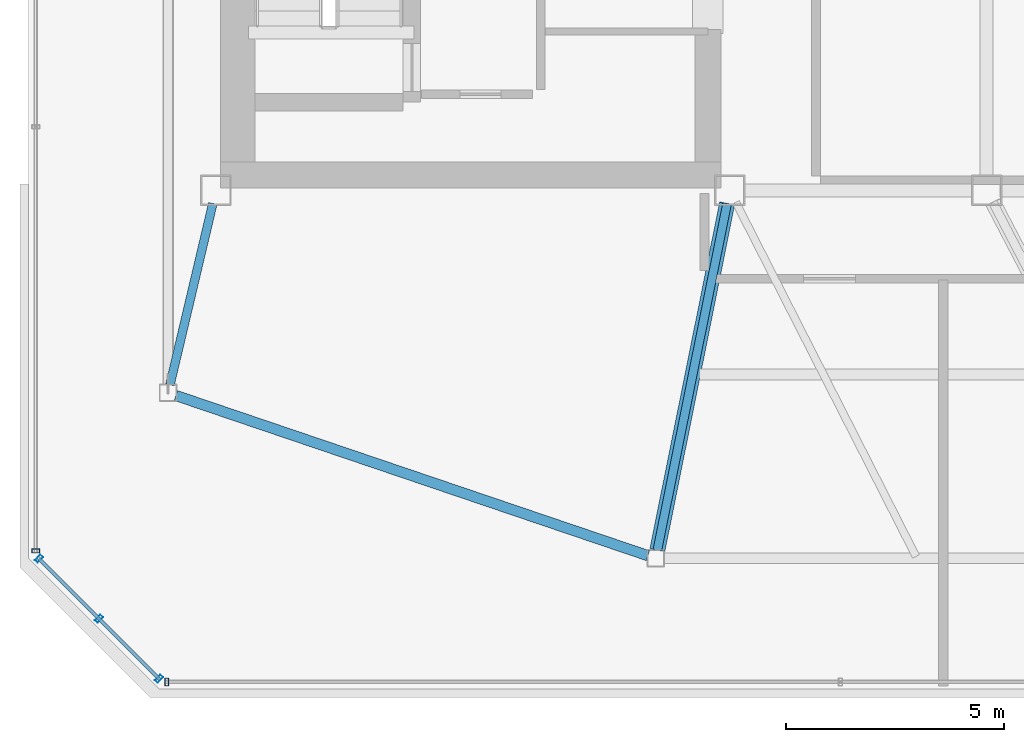
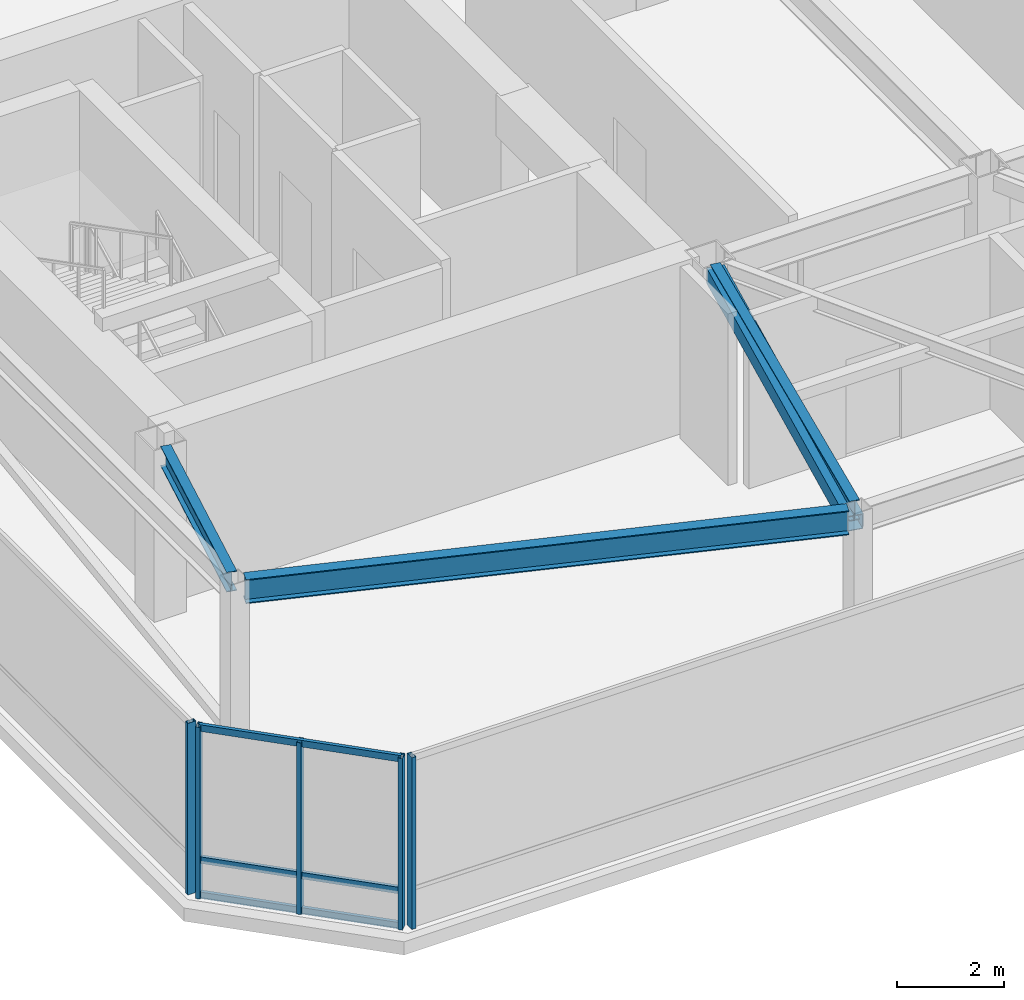
# One storey, part 2 of 21: 9 members, 3 beams, 3 elements without a shape of their own.
"""IFC4 building model written with IfcOpenShell, lengths in metres."""

from ifc_helpers import new_model, si_unit, direction, frame, origin, origin_2d, place, context, subcontext, project, spatial, hollow_rectangle, i_section, extrude, material, layer, layer_set, material_profile, profile_set, type_object, element, aggregate, save


model = new_model("IFC4")

# Units and contexts
model_context = context("Model", 3, precision=1e-05, world=origin(), true_north=direction((0.0, 1.0)))
body_context = subcontext(model_context, "Body", "Model", "MODEL_VIEW")
ifc_project = project(units=[si_unit("LENGTHUNIT", "METRE"), si_unit("AREAUNIT", "SQUARE_METRE"), si_unit("VOLUMEUNIT", "CUBIC_METRE"), si_unit("PLANEANGLEUNIT", "RADIAN"), si_unit("MASSUNIT", "GRAM", prefix="KILO")], contexts=[model_context])

# Site, building, storey
site_placement = place(None, origin())
site = spatial("IfcSite", under=ifc_project, at=site_placement, CompositionType="ELEMENT")
building_placement = place(site_placement, origin())
building = spatial("IfcBuilding", under=site, at=building_placement, Name="Tavrogorsk Clinical Tower", CompositionType="ELEMENT")
storey_placement = place(building_placement, frame((0.0, 0.0, 348.60009765625)))
storey = spatial("IfcBuildingStorey", under=building, at=storey_placement, Name="L81", CompositionType="ELEMENT", Elevation=348.60009765625)

# Member
ifc_material_1 = material(Name="Structural steel S390", Category="steel")
ifc_material_profile_1 = material_profile(ifc_material_1, hollow_rectangle(XDim=0.35009765625, YDim=0.35009765625, WallThickness=0.01611328125, at=origin_2d()), Name="SHS-350x350x16")
ifc_profile_set_1 = profile_set([ifc_material_profile_1], Name="Structural steel S390")
member_type_1 = type_object("IfcMemberType", Name="CrownFacetRafter_SHS350", PredefinedType="RAFTER", material=ifc_profile_set_1)
member_1_placement = place(storey_placement, frame((-10.361083984375, -6.65380859375, 3.669189453125), z_axis=(-0.197131403057, -0.979759922029, -0.034780815313), x_axis=(0.980353070529, -0.197250746779, 0.0)))
element("IfcMember", 1, at=member_1_placement, inside=storey, type_object=member_type_1, Name="L81 Sloped Facet Rafter S-1", PredefinedType="RAFTER", context=body_context, shape_type="SweptSolid", body=[
    extrude(hollow_rectangle(XDim=0.35009765625, YDim=0.35009765625, WallThickness=0.01611328125, at=origin_2d()), origin(), (0.0, 0.0, 1.0), 8.114501953125),
])

# Curtain wall, members
ifc_material_2 = material(Name="Anodised aluminium and triple IGU glazing", Category="aluminium")
ifc_layer = layer(ifc_material_2, 0.179931640625)
ifc_layer_set = layer_set([ifc_layer], Name="Anodised aluminium and triple IGU glazing")
curtain_wall_type = type_object("IfcCurtainWallType", Name="CW5_SkyLobby", PredefinedType="NOTDEFINED", material=ifc_layer_set)
curtain_wall_1_placement = place(storey_placement, origin())
curtain_wall_1 = element("IfcCurtainWall", 2, at=curtain_wall_1_placement, inside=storey, type_object=curtain_wall_type, Name="L81 Curtain Wall CW-L81-DRUM-1", PredefinedType="NOTDEFINED")
ifc_material_3 = material(Name="Anodised aluminium alloy AW-6060", Category="aluminium")
ifc_material_profile_2 = material_profile(ifc_material_3, hollow_rectangle(XDim=0.090087890625, YDim=0.179931640625, WallThickness=0.00634765625, at=origin_2d()), Name="RHS-180x90x6.3")
ifc_profile_set_2 = profile_set([ifc_material_profile_2], Name="Anodised aluminium alloy AW-6060")
member_type_2 = type_object("IfcMemberType", Name="CwMullion_180x90", PredefinedType="MULLION", material=ifc_profile_set_2)
member_2_placement = place(storey_placement, frame((-23.407958984375, -17.565673828125, 0.0), z_axis=(0.0, 0.0, 1.0), x_axis=(-0.707106781187, 0.707106781187, 0.0)))
member_2 = element("IfcMember", 3, at=member_2_placement, type_object=member_type_2, Name="CW-L81-DRUM-1 Mullion 1", PredefinedType="MULLION", context=body_context, shape_type="SweptSolid", body=[
    extrude(hollow_rectangle(XDim=0.090087890625, YDim=0.179931640625, WallThickness=0.00634765625, at=origin_2d()), origin(), (0.0, 0.0, 1.0), 3.89990234375),
])
member_3_placement = place(storey_placement, frame((-24.786865234375, -16.186767578125, 0.0), z_axis=(0.0, 0.0, 1.0), x_axis=(-0.707106781187, 0.707106781187, 0.0)))
member_3 = element("IfcMember", 4, at=member_3_placement, type_object=member_type_2, Name="CW-L81-DRUM-1 Mullion 2", PredefinedType="MULLION", context=body_context, shape_type="SweptSolid", body=[
    extrude(hollow_rectangle(XDim=0.090087890625, YDim=0.179931640625, WallThickness=0.00634765625, at=origin_2d()), origin(), (0.0, 0.0, 1.0), 3.89990234375),
])
member_4_placement = place(storey_placement, frame((-26.165771484375, -14.807861328125, 0.0), z_axis=(0.0, 0.0, 1.0), x_axis=(-0.707106781187, 0.707106781187, 0.0)))
member_4 = element("IfcMember", 5, at=member_4_placement, type_object=member_type_2, Name="CW-L81-DRUM-1 Mullion 3", PredefinedType="MULLION", context=body_context, shape_type="SweptSolid", body=[
    extrude(hollow_rectangle(XDim=0.090087890625, YDim=0.179931640625, WallThickness=0.00634765625, at=origin_2d()), origin(), (0.0, 0.0, 1.0), 3.89990234375),
])

# Curtain wall, member
curtain_wall_2_placement = place(storey_placement, origin())
curtain_wall_2 = element("IfcCurtainWall", 6, at=curtain_wall_2_placement, inside=storey, type_object=curtain_wall_type, Name="L81 Curtain Wall CW-L81-DRUM-2", PredefinedType="NOTDEFINED")
member_5_placement = place(storey_placement, frame((-26.239990234375, -14.628662109375, 0.0), z_axis=(0.0, 0.0, 1.0), x_axis=(0.0, 1.0, 0.0)))
member_5 = element("IfcMember", 7, at=member_5_placement, type_object=member_type_2, Name="CW-L81-DRUM-2 Mullion 1", PredefinedType="MULLION", context=body_context, shape_type="SweptSolid", body=[
    extrude(hollow_rectangle(XDim=0.090087890625, YDim=0.179931640625, WallThickness=0.00634765625, at=origin_2d()), origin(), (0.0, 0.0, 1.0), 3.89990234375),
])
aggregate(curtain_wall_2, [member_5])

curtain_wall_3_placement = place(storey_placement, origin())
curtain_wall_3 = element("IfcCurtainWall", 8, at=curtain_wall_3_placement, inside=storey, type_object=curtain_wall_type, Name="L81 Curtain Wall CW-L81-DRUM-8", PredefinedType="NOTDEFINED")
member_6_placement = place(storey_placement, frame((-23.228759765625, -17.639892578125, 0.0), z_axis=(0.0, 0.0, 1.0), x_axis=(-1.0, 0.0, 0.0)))
member_6 = element("IfcMember", 9, at=member_6_placement, type_object=member_type_2, Name="CW-L81-DRUM-8 Mullion 4", PredefinedType="MULLION", context=body_context, shape_type="SweptSolid", body=[
    extrude(hollow_rectangle(XDim=0.090087890625, YDim=0.179931640625, WallThickness=0.00634765625, at=origin_2d()), origin(), (0.0, 0.0, 1.0), 3.89990234375),
])
aggregate(curtain_wall_3, [member_6])

# Member
ifc_material_4 = material(Name="Anodised aluminium alloy AW-6060", Category="aluminium")
ifc_material_profile_3 = material_profile(ifc_material_4, hollow_rectangle(XDim=0.074951171875, YDim=0.14990234375, WallThickness=0.0048828125, at=origin_2d()), Name="RHS-150x75x5")
ifc_profile_set_3 = profile_set([ifc_material_profile_3], Name="Anodised aluminium alloy AW-6060")
member_type_3 = type_object("IfcMemberType", Name="CwTransom_150x75", PredefinedType="USERDEFINED", material=ifc_profile_set_3)
member_7_placement = place(storey_placement, frame((-23.407958984375, -17.565673828125, 0.0498046875), z_axis=(-0.707106781187, 0.707106781187, 0.0), x_axis=(-0.707106781187, -0.707106781187, 0.0)))
member_7 = element("IfcMember", 10, at=member_7_placement, type_object=member_type_3, Name="CW-L81-DRUM-1 Transom 1", ObjectType="TRANSOM", PredefinedType="USERDEFINED", context=body_context, shape_type="SweptSolid", body=[
    extrude(hollow_rectangle(XDim=0.074951171875, YDim=0.14990234375, WallThickness=0.0048828125, at=origin_2d()), origin(), (0.0, 0.0, 1.0), 3.900146484375),
])

member_8_placement = place(storey_placement, frame((-23.407958984375, -17.565673828125, 0.849853515625), z_axis=(-0.707106781187, 0.707106781187, 0.0), x_axis=(-0.707106781187, -0.707106781187, 0.0)))
member_8 = element("IfcMember", 11, at=member_8_placement, type_object=member_type_3, Name="CW-L81-DRUM-1 Transom 2", ObjectType="TRANSOM", PredefinedType="USERDEFINED", context=body_context, shape_type="SweptSolid", body=[
    extrude(hollow_rectangle(XDim=0.074951171875, YDim=0.14990234375, WallThickness=0.0048828125, at=origin_2d()), origin(), (0.0, 0.0, 1.0), 3.900146484375),
])

member_9_placement = place(storey_placement, frame((-23.407958984375, -17.565673828125, 3.849853515625), z_axis=(-0.707106781187, 0.707106781187, 0.0), x_axis=(-0.707106781187, -0.707106781187, 0.0)))
member_9 = element("IfcMember", 12, at=member_9_placement, type_object=member_type_3, Name="CW-L81-DRUM-1 Transom 3", ObjectType="TRANSOM", PredefinedType="USERDEFINED", context=body_context, shape_type="SweptSolid", body=[
    extrude(hollow_rectangle(XDim=0.074951171875, YDim=0.14990234375, WallThickness=0.0048828125, at=origin_2d()), origin(), (0.0, 0.0, 1.0), 3.900146484375),
])

aggregate(curtain_wall_1, [member_2, member_3, member_4, member_7, member_8, member_9])

# Beams
ifc_material_5 = material(Name="Structural steel S355", Category="steel")
ifc_material_profile_4 = material_profile(ifc_material_5, i_section(OverallWidth=0.199951171875, OverallDepth=0.449951171875, WebThickness=0.011474609375, FlangeThickness=0.01806640625, at=origin_2d()), Name="B-450x200x11.5x18")
ifc_profile_set_4 = profile_set([ifc_material_profile_4], Name="Structural steel S355")
beam_type_1 = type_object("IfcBeamType", Name="FloorBeam_B450", PredefinedType="BEAM", material=ifc_profile_set_4)
beam_1_placement = place(storey_placement, frame((-10.361083984375, -6.65380859375, 3.6748046875), z_axis=(-0.197249355273, -0.980353350504, 0.0), x_axis=(0.980353350504, -0.197249355273, 0.0)))
element("IfcBeam", 13, at=beam_1_placement, inside=storey, type_object=beam_type_1, Name="L81 Crown Radial Beam 01", PredefinedType="BEAM", context=body_context, shape_type="SweptSolid", body=[
    extrude(i_section(OverallWidth=0.199951171875, OverallDepth=0.449951171875, WebThickness=0.011474609375, FlangeThickness=0.01806640625, at=origin_2d()), origin(), (0.0, 0.0, 1.0), 8.119384765625),
])
beam_2_placement = place(storey_placement, frame((-22.17138671875, -6.651611328125, 3.6748046875), z_axis=(-0.230190528398, -0.973145580392, 0.0), x_axis=(0.973145580392, -0.230190528398, 0.0)))
element("IfcBeam", 14, at=beam_2_placement, inside=storey, type_object=beam_type_1, Name="L81 Crown Radial Beam 10", PredefinedType="BEAM", context=body_context, shape_type="SweptSolid", body=[
    extrude(i_section(OverallWidth=0.199951171875, OverallDepth=0.449951171875, WebThickness=0.011474609375, FlangeThickness=0.01806640625, at=origin_2d()), origin(), (0.0, 0.0, 1.0), 4.278564453125),
])
ifc_material_6 = material(Name="Structural steel S390", Category="steel")
ifc_material_profile_5 = material_profile(ifc_material_6, i_section(OverallWidth=0.239990234375, OverallDepth=0.550048828125, WebThickness=0.013916015625, FlangeThickness=0.02197265625, at=origin_2d()), Name="B-550x240x14x22")
ifc_profile_set_5 = profile_set([ifc_material_profile_5], Name="Structural steel S390")
beam_type_2 = type_object("IfcBeamType", Name="SpandrelBeam_B550", PredefinedType="SPANDREL", material=ifc_profile_set_5)
beam_3_placement = place(storey_placement, frame((-23.02001953125, -11.06103515625, 3.625), z_axis=(0.946976266831, -0.321303517034, 0.0), x_axis=(0.321303517034, 0.946976266831, 0.0)))
element("IfcBeam", 15, at=beam_3_placement, inside=storey, type_object=beam_type_2, Name="L81 Crown Spandrel Beam 10", PredefinedType="SPANDREL", context=body_context, shape_type="SweptSolid", body=[
    extrude(i_section(OverallWidth=0.239990234375, OverallDepth=0.550048828125, WebThickness=0.013916015625, FlangeThickness=0.02197265625, at=origin_2d()), origin(), (0.0, 0.0, 1.0), 11.447021484375),
])

save(model, "model.ifc")
